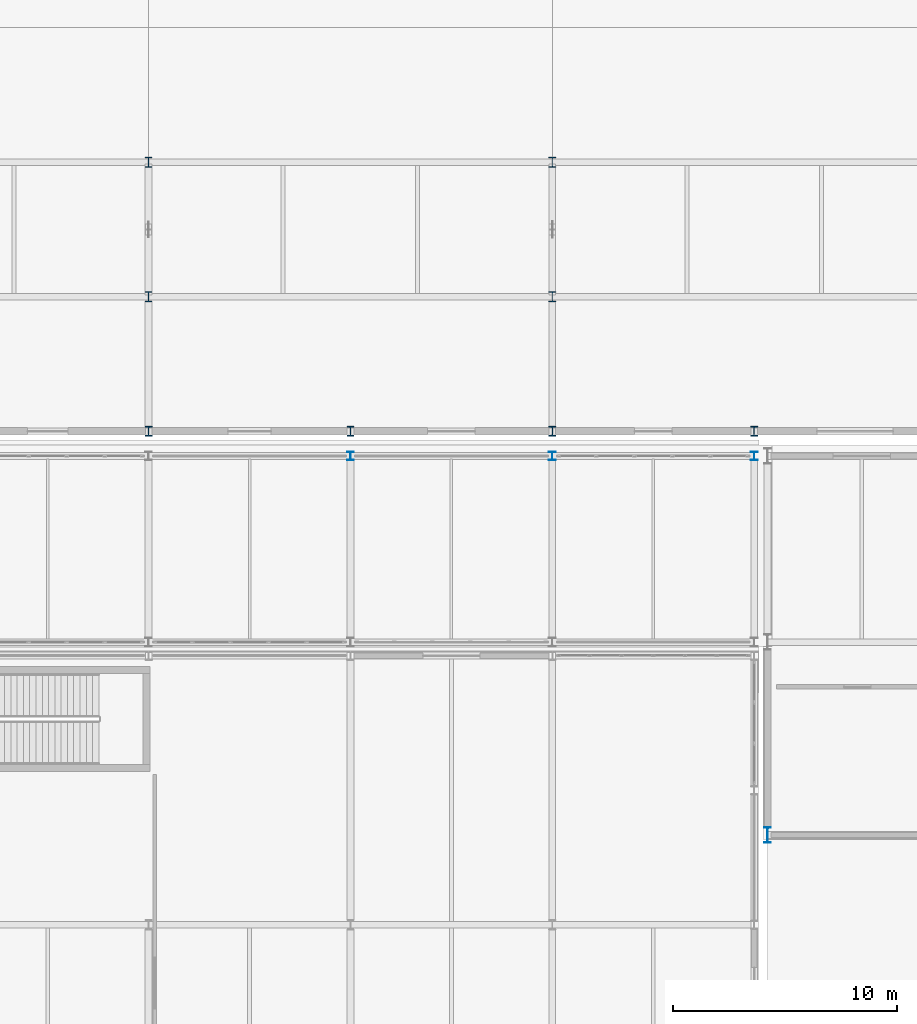
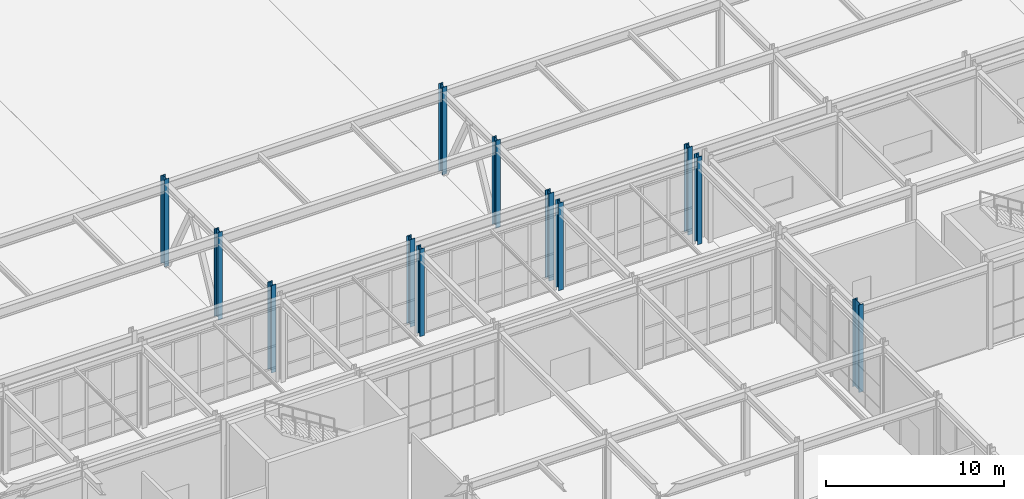
# One storey, part 4 of 146: 12 columns.
"""IFC4 building model written with IfcOpenShell, lengths in metres."""

from ifc_helpers import new_model, si_unit, direction, frame, origin, origin_2d, place, context, subcontext, project, spatial, i_section, extrude, material, material_profile, profile_set, type_object, element, save


model = new_model("IFC4")

# Units and contexts
model_context = context("Model", 3, precision=1e-05, world=origin(), true_north=direction((0.0, 1.0)))
body_context = subcontext(model_context, "Body", "Model", "MODEL_VIEW")
ifc_project = project(units=[si_unit("LENGTHUNIT", "METRE"), si_unit("AREAUNIT", "SQUARE_METRE"), si_unit("VOLUMEUNIT", "CUBIC_METRE"), si_unit("PLANEANGLEUNIT", "RADIAN"), si_unit("MASSUNIT", "GRAM", prefix="KILO")], contexts=[model_context])

# Site, building, storey
site_placement = place(None, origin())
site = spatial("IfcSite", under=ifc_project, at=site_placement, CompositionType="ELEMENT")
building_placement = place(site_placement, origin())
building = spatial("IfcBuilding", under=site, at=building_placement, Name="Kaldris Quays Convention Centre", CompositionType="ELEMENT")
storey_placement = place(building_placement, origin())
storey = spatial("IfcBuildingStorey", under=building, at=storey_placement, Name="L00", CompositionType="ELEMENT", Elevation=0.0)

# Columns
ifc_material_1 = material(Name="Steel S460ML", Category="steel")
ifc_material_profile_1 = material_profile(ifc_material_1, i_section(OverallWidth=0.306884765625, OverallDepth=0.431884765625, WebThickness=0.02099609375, FlangeThickness=0.0400390625, FilletRadius=0.027099609375, at=origin_2d()), Name="HEM 400")
ifc_profile_set_1 = profile_set([ifc_material_profile_1], Name="Steel S460ML")
column_type_1 = type_object("IfcColumnType", Name="STRUCTURAL COLUMN CL01", PredefinedType="COLUMN", material=ifc_profile_set_1)
for number, where, z_axis, x_axis, name in (
    (1, (56.0, 56.0, 0.0), (0.0, 0.0, 1.0), (1.0, 0.0, 0.0), "L00 V1 Column CL01 (56.00, 56.00)"),
    (2, (65.0, 56.0, 0.0), (0.0, 0.0, 1.0), (1.0, 0.0, 0.0), "L00 V1 Column CL01 (65.00, 56.00)"),
    (3, (74.0, 56.0, 0.0), (0.0, 0.0, 1.0), (1.0, 0.0, 0.0), "L00 V1 Column CL01 (74.00, 56.00)"),
    (4, (83.0, 56.0, 0.0), (0.0, 0.0, 1.0), (1.0, 0.0, 0.0), "L00 V1 Column CL01 (83.00, 56.00)"),
):
    element("IfcColumn", number, at=place(storey_placement, frame(where, z_axis=z_axis, x_axis=x_axis)), inside=storey, type_object=column_type_1, Name=name, PredefinedType="COLUMN", context=body_context, shape_type="SweptSolid", body=[
        extrude(i_section(OverallWidth=0.306884765625, OverallDepth=0.431884765625, WebThickness=0.02099609375, FlangeThickness=0.0400390625, FilletRadius=0.027099609375, at=origin_2d()), origin(), (0.0, 0.0, 1.0), 6.0),
    ])
ifc_material_2 = material(Name="Steel S355J2", Category="steel")
ifc_material_profile_2 = material_profile(ifc_material_2, i_section(OverallWidth=0.300048828125, OverallDepth=0.699951171875, WebThickness=0.01708984375, FlangeThickness=0.031982421875, FilletRadius=0.027099609375, at=origin_2d()), Name="HEB 700")
ifc_profile_set_2 = profile_set([ifc_material_profile_2], Name="Steel S355J2")
column_type_2 = type_object("IfcColumnType", Name="STRUCTURAL COLUMN CL05", PredefinedType="COLUMN", material=ifc_profile_set_2)
column_placement = place(storey_placement, frame((83.60009765625, 38.0, 0.0), z_axis=(0.0, 0.0, 1.0), x_axis=(1.0, 0.0, 0.0)))
element("IfcColumn", 5, at=column_placement, inside=storey, type_object=column_type_2, Name="L00 V4 Column CL05 (83.60, 38.00)", PredefinedType="COLUMN", context=body_context, shape_type="SweptSolid", body=[
    extrude(i_section(OverallWidth=0.300048828125, OverallDepth=0.699951171875, WebThickness=0.01708984375, FlangeThickness=0.031982421875, FilletRadius=0.027099609375, at=origin_2d()), origin(), (0.0, 0.0, 1.0), 6.0),
])
ifc_material_profile_3 = material_profile(ifc_material_2, i_section(OverallWidth=0.300048828125, OverallDepth=0.449951171875, WebThickness=0.013916015625, FlangeThickness=0.02587890625, FilletRadius=0.027099609375, at=origin_2d()), Name="HEB 450")
ifc_profile_set_3 = profile_set([ifc_material_profile_3], Name="Steel S355J2")
column_type_3 = type_object("IfcColumnType", Name="STRUCTURAL COLUMN CL08", PredefinedType="COLUMN", material=ifc_profile_set_3)
for number, where, z_axis, x_axis, name in (
    (6, (56.0, 62.0, 0.0), (0.0, 0.0, 1.0), (1.0, 0.0, 0.0), "L00 V1 Column CL08 (56.00, 62.00)"),
    (7, (56.0, 68.0, 0.0), (0.0, 0.0, 1.0), (1.0, 0.0, 0.0), "L00 V1 Column CL08 (56.00, 68.00)"),
    (8, (74.0, 62.0, 0.0), (0.0, 0.0, 1.0), (1.0, 0.0, 0.0), "L00 V1 Column CL08 (74.00, 62.00)"),
    (9, (74.0, 68.0, 0.0), (0.0, 0.0, 1.0), (1.0, 0.0, 0.0), "L00 V1 Column CL08 (74.00, 68.00)"),
):
    element("IfcColumn", number, at=place(storey_placement, frame(where, z_axis=z_axis, x_axis=x_axis)), inside=storey, type_object=column_type_3, Name=name, PredefinedType="COLUMN", context=body_context, shape_type="SweptSolid", body=[
        extrude(i_section(OverallWidth=0.300048828125, OverallDepth=0.449951171875, WebThickness=0.013916015625, FlangeThickness=0.02587890625, FilletRadius=0.027099609375, at=origin_2d()), origin(), (0.0, 0.0, 1.0), 6.0),
    ])
ifc_material_profile_4 = material_profile(ifc_material_2, i_section(OverallWidth=0.300048828125, OverallDepth=0.389892578125, WebThickness=0.010986328125, FlangeThickness=0.01904296875, FilletRadius=0.027099609375, at=origin_2d()), Name="HEA 400")
ifc_profile_set_4 = profile_set([ifc_material_profile_4], Name="Steel S355J2")
column_type_4 = type_object("IfcColumnType", Name="STRUCTURAL COLUMN CL12", PredefinedType="COLUMN", material=ifc_profile_set_4)
for number, where, z_axis, x_axis, name in (
    (10, (65.0, 54.89990234375, 0.0), (0.0, 0.0, 1.0), (1.0, 0.0, 0.0), "L00 V4 Column CL12 (65.00, 54.90)"),
    (11, (74.0, 54.89990234375, 0.0), (0.0, 0.0, 1.0), (1.0, 0.0, 0.0), "L00 V4 Column CL12 (74.00, 54.90)"),
    (12, (83.0, 54.89990234375, 0.0), (0.0, 0.0, 1.0), (1.0, 0.0, 0.0), "L00 V4 Column CL12 (83.00, 54.90)"),
):
    element("IfcColumn", number, at=place(storey_placement, frame(where, z_axis=z_axis, x_axis=x_axis)), inside=storey, type_object=column_type_4, Name=name, PredefinedType="COLUMN", context=body_context, shape_type="SweptSolid", body=[
        extrude(i_section(OverallWidth=0.300048828125, OverallDepth=0.389892578125, WebThickness=0.010986328125, FlangeThickness=0.01904296875, FilletRadius=0.027099609375, at=origin_2d()), origin(), (0.0, 0.0, 1.0), 6.0),
    ])

save(model, "model.ifc")
